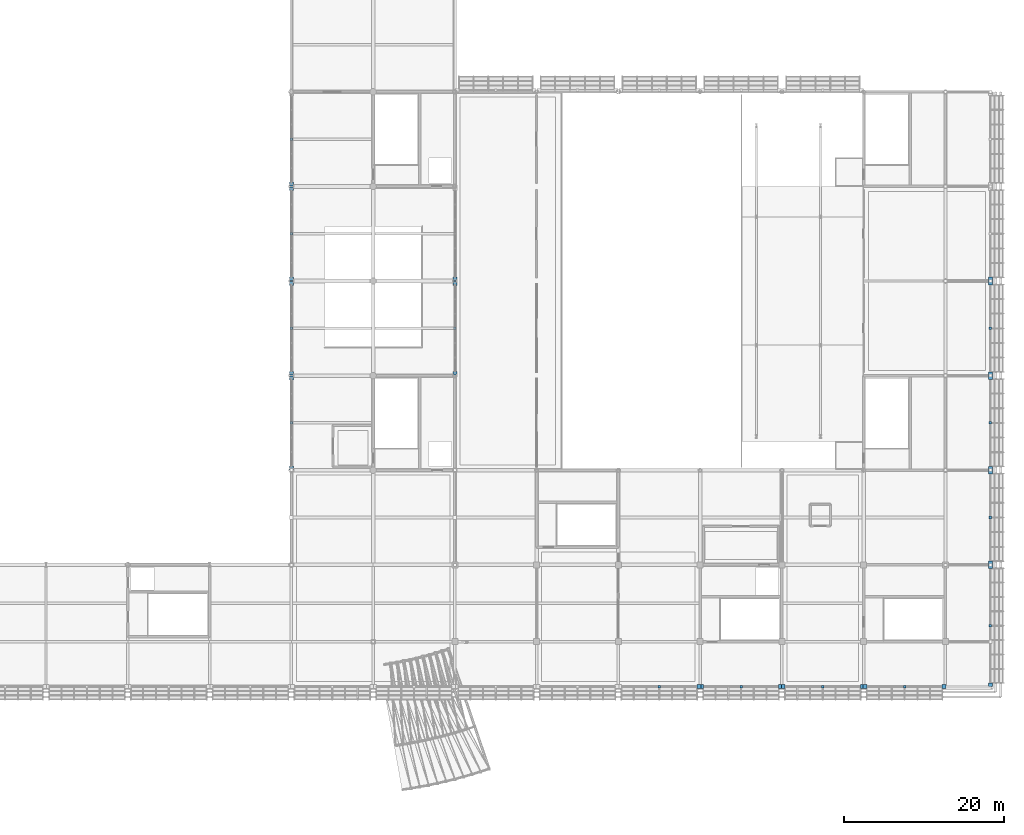
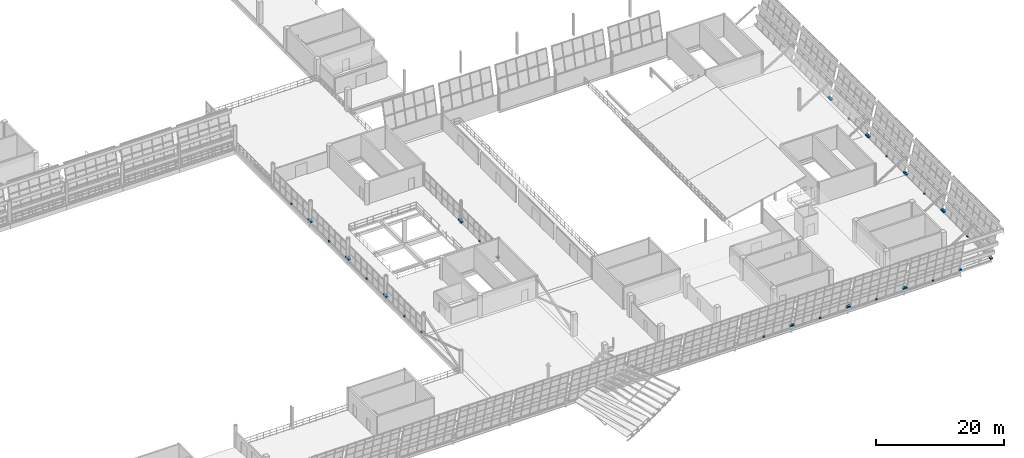
# One storey, part 140 of 157: 39 discrete accessories.
"""IFC4 building model written with IfcOpenShell, lengths in metres."""

from ifc_helpers import new_model, si_unit, direction, frame, origin, origin_2d, place, context, subcontext, project, spatial, rectangle, extrude, material, type_object, element, save


model = new_model("IFC4")

# Units and contexts
model_context = context("Model", 3, precision=1e-05, world=origin(), true_north=direction((0.0, 1.0)))
body_context = subcontext(model_context, "Body", "Model", "MODEL_VIEW")
ifc_project = project(units=[si_unit("LENGTHUNIT", "METRE"), si_unit("AREAUNIT", "SQUARE_METRE"), si_unit("VOLUMEUNIT", "CUBIC_METRE"), si_unit("PLANEANGLEUNIT", "RADIAN"), si_unit("MASSUNIT", "GRAM", prefix="KILO")], contexts=[model_context])

# Site, building, storey
site_placement = place(None, origin())
site = spatial("IfcSite", under=ifc_project, at=site_placement, CompositionType="ELEMENT")
building_placement = place(site_placement, origin())
building = spatial("IfcBuilding", under=site, at=building_placement, Name="Brelvane Convention Centre", CompositionType="ELEMENT")
storey_placement = place(building_placement, frame((0.0, 0.0, 10.800048828125)))
storey = spatial("IfcBuildingStorey", under=building, at=storey_placement, Name="L02", CompositionType="ELEMENT", Elevation=10.800048828125)

# Discrete accessories
ifc_material = material(Name="Steel E350 (350 MPa)", Category="steel")
discrete_accessory_type = type_object("IfcDiscreteAccessoryType", Name="Facade Outrigger Bracket BRK-02", PredefinedType="BRACKET", material=ifc_material)
discrete_accessory_1_placement = place(storey_placement, frame((193.639892578125, 13.60009765625, 0.22998046875), z_axis=(0.0, 0.0, 1.0), x_axis=(1.0, 0.0, 0.0)))
element("IfcDiscreteAccessory", 1, at=discrete_accessory_1_placement, inside=storey, type_object=discrete_accessory_type, Name="Curtain Wall Anchor Bracket L02-HULL-S-L02-19-R", PredefinedType="BRACKET", context=body_context, shape_type="SweptSolid", body=[
    extrude(rectangle(XDim=0.47998046875, YDim=0.47998046875, at=origin_2d()), origin(), (0.0, 0.0, 1.0), 0.239990234375),
])
discrete_accessory_2_placement = place(storey_placement, frame((188.699951171875, 13.60009765625, -0.14013671875), z_axis=(0.0, 0.0, 1.0), x_axis=(1.0, 0.0, 0.0)))
element("IfcDiscreteAccessory", 2, at=discrete_accessory_2_placement, inside=storey, type_object=discrete_accessory_type, Name="Curtain Wall Anchor Bracket L02-HULL-S-L02-19-B", PredefinedType="BRACKET", context=body_context, shape_type="SweptSolid", body=[
    extrude(rectangle(XDim=0.320068359375, YDim=0.320068359375, at=origin_2d()), origin(), (0.0, 0.0, 1.0), 0.280029296875),
])
for number, where, z_axis, x_axis, name in (
    (3, (193.9599609375, 13.60009765625, 0.22998046875), (0.0, 0.0, 1.0), (1.0, 0.0, 0.0), "Curtain Wall Anchor Bracket L02-HULL-S-L02-20-L"),
    (4, (203.840087890625, 13.60009765625, 0.22998046875), (0.0, 0.0, 1.0), (1.0, 0.0, 0.0), "Curtain Wall Anchor Bracket L02-HULL-S-L02-20-R"),
):
    element("IfcDiscreteAccessory", number, at=place(storey_placement, frame(where, z_axis=z_axis, x_axis=x_axis)), inside=storey, type_object=discrete_accessory_type, Name=name, PredefinedType="BRACKET", context=body_context, shape_type="SweptSolid", body=[
        extrude(rectangle(XDim=0.47998046875, YDim=0.47998046875, at=origin_2d()), origin(), (0.0, 0.0, 1.0), 0.239990234375),
    ])
discrete_accessory_3_placement = place(storey_placement, frame((198.89990234375, 13.60009765625, -0.14013671875), z_axis=(0.0, 0.0, 1.0), x_axis=(1.0, 0.0, 0.0)))
element("IfcDiscreteAccessory", 5, at=discrete_accessory_3_placement, inside=storey, type_object=discrete_accessory_type, Name="Curtain Wall Anchor Bracket L02-HULL-S-L02-20-B", PredefinedType="BRACKET", context=body_context, shape_type="SweptSolid", body=[
    extrude(rectangle(XDim=0.320068359375, YDim=0.320068359375, at=origin_2d()), origin(), (0.0, 0.0, 1.0), 0.280029296875),
])
for number, where, z_axis, x_axis, name in (
    (6, (204.159912109375, 13.60009765625, 0.22998046875), (0.0, 0.0, 1.0), (1.0, 0.0, 0.0), "Curtain Wall Anchor Bracket L02-HULL-S-L02-21-L"),
    (7, (214.0400390625, 13.60009765625, 0.22998046875), (0.0, 0.0, 1.0), (1.0, 0.0, 0.0), "Curtain Wall Anchor Bracket L02-HULL-S-L02-21-R"),
):
    element("IfcDiscreteAccessory", number, at=place(storey_placement, frame(where, z_axis=z_axis, x_axis=x_axis)), inside=storey, type_object=discrete_accessory_type, Name=name, PredefinedType="BRACKET", context=body_context, shape_type="SweptSolid", body=[
        extrude(rectangle(XDim=0.47998046875, YDim=0.47998046875, at=origin_2d()), origin(), (0.0, 0.0, 1.0), 0.239990234375),
    ])
discrete_accessory_4_placement = place(storey_placement, frame((209.10009765625, 13.60009765625, -0.14013671875), z_axis=(0.0, 0.0, 1.0), x_axis=(1.0, 0.0, 0.0)))
element("IfcDiscreteAccessory", 8, at=discrete_accessory_4_placement, inside=storey, type_object=discrete_accessory_type, Name="Curtain Wall Anchor Bracket L02-HULL-S-L02-21-B", PredefinedType="BRACKET", context=body_context, shape_type="SweptSolid", body=[
    extrude(rectangle(XDim=0.320068359375, YDim=0.320068359375, at=origin_2d()), origin(), (0.0, 0.0, 1.0), 0.280029296875),
])
for number, where, z_axis, x_axis, name in (
    (9, (214.360107421875, 13.60009765625, 0.22998046875), (0.0, 0.0, 1.0), (1.0, 0.0, 0.0), "Curtain Wall Anchor Bracket L02-HULL-S-L02-22-L"),
    (10, (224.239990234375, 13.60009765625, 0.22998046875), (0.0, 0.0, 1.0), (1.0, 0.0, 0.0), "Curtain Wall Anchor Bracket L02-HULL-S-L02-22-R"),
):
    element("IfcDiscreteAccessory", number, at=place(storey_placement, frame(where, z_axis=z_axis, x_axis=x_axis)), inside=storey, type_object=discrete_accessory_type, Name=name, PredefinedType="BRACKET", context=body_context, shape_type="SweptSolid", body=[
        extrude(rectangle(XDim=0.47998046875, YDim=0.47998046875, at=origin_2d()), origin(), (0.0, 0.0, 1.0), 0.239990234375),
    ])
discrete_accessory_5_placement = place(storey_placement, frame((219.300048828125, 13.60009765625, -0.14013671875), z_axis=(0.0, 0.0, 1.0), x_axis=(1.0, 0.0, 0.0)))
element("IfcDiscreteAccessory", 11, at=discrete_accessory_5_placement, inside=storey, type_object=discrete_accessory_type, Name="Curtain Wall Anchor Bracket L02-HULL-S-L02-22-B", PredefinedType="BRACKET", context=body_context, shape_type="SweptSolid", body=[
    extrude(rectangle(XDim=0.320068359375, YDim=0.320068359375, at=origin_2d()), origin(), (0.0, 0.0, 1.0), 0.280029296875),
])
for number, where, z_axis, x_axis, name in (
    (12, (230.0, 13.840087890625, 0.22998046875), (0.0, 0.0, 1.0), (1.0, 0.0, 0.0), "Curtain Wall Anchor Bracket L02-HULL-E-L02-1-L"),
    (13, (230.0, 28.56005859375, 0.22998046875), (0.0, 0.0, 1.0), (1.0, 0.0, 0.0), "Curtain Wall Anchor Bracket L02-HULL-E-L02-1-R"),
):
    element("IfcDiscreteAccessory", number, at=place(storey_placement, frame(where, z_axis=z_axis, x_axis=x_axis)), inside=storey, type_object=discrete_accessory_type, Name=name, PredefinedType="BRACKET", context=body_context, shape_type="SweptSolid", body=[
        extrude(rectangle(XDim=0.47998046875, YDim=0.47998046875, at=origin_2d()), origin(), (0.0, 0.0, 1.0), 0.239990234375),
    ])
discrete_accessory_6_placement = place(storey_placement, frame((230.0, 21.199951171875, -0.14013671875), z_axis=(0.0, 0.0, 1.0), x_axis=(1.0, 0.0, 0.0)))
element("IfcDiscreteAccessory", 14, at=discrete_accessory_6_placement, inside=storey, type_object=discrete_accessory_type, Name="Curtain Wall Anchor Bracket L02-HULL-E-L02-1-B", PredefinedType="BRACKET", context=body_context, shape_type="SweptSolid", body=[
    extrude(rectangle(XDim=0.320068359375, YDim=0.320068359375, at=origin_2d()), origin(), (0.0, 0.0, 1.0), 0.280029296875),
])
for number, where, z_axis, x_axis, name in (
    (15, (230.0, 29.0400390625, 0.22998046875), (0.0, 0.0, 1.0), (1.0, 0.0, 0.0), "Curtain Wall Anchor Bracket L02-HULL-E-L02-2-L"),
    (16, (230.0, 40.360107421875, 0.22998046875), (0.0, 0.0, 1.0), (1.0, 0.0, 0.0), "Curtain Wall Anchor Bracket L02-HULL-E-L02-2-R"),
):
    element("IfcDiscreteAccessory", number, at=place(storey_placement, frame(where, z_axis=z_axis, x_axis=x_axis)), inside=storey, type_object=discrete_accessory_type, Name=name, PredefinedType="BRACKET", context=body_context, shape_type="SweptSolid", body=[
        extrude(rectangle(XDim=0.47998046875, YDim=0.47998046875, at=origin_2d()), origin(), (0.0, 0.0, 1.0), 0.239990234375),
    ])
discrete_accessory_7_placement = place(storey_placement, frame((230.0, 34.699951171875, -0.14013671875), z_axis=(0.0, 0.0, 1.0), x_axis=(1.0, 0.0, 0.0)))
element("IfcDiscreteAccessory", 17, at=discrete_accessory_7_placement, inside=storey, type_object=discrete_accessory_type, Name="Curtain Wall Anchor Bracket L02-HULL-E-L02-2-B", PredefinedType="BRACKET", context=body_context, shape_type="SweptSolid", body=[
    extrude(rectangle(XDim=0.320068359375, YDim=0.320068359375, at=origin_2d()), origin(), (0.0, 0.0, 1.0), 0.280029296875),
])
for number, where, z_axis, x_axis, name in (
    (18, (230.0, 40.840087890625, 0.22998046875), (0.0, 0.0, 1.0), (1.0, 0.0, 0.0), "Curtain Wall Anchor Bracket L02-HULL-E-L02-3-L"),
    (19, (230.0, 52.159912109375, 0.22998046875), (0.0, 0.0, 1.0), (1.0, 0.0, 0.0), "Curtain Wall Anchor Bracket L02-HULL-E-L02-3-R"),
):
    element("IfcDiscreteAccessory", number, at=place(storey_placement, frame(where, z_axis=z_axis, x_axis=x_axis)), inside=storey, type_object=discrete_accessory_type, Name=name, PredefinedType="BRACKET", context=body_context, shape_type="SweptSolid", body=[
        extrude(rectangle(XDim=0.47998046875, YDim=0.47998046875, at=origin_2d()), origin(), (0.0, 0.0, 1.0), 0.239990234375),
    ])
discrete_accessory_8_placement = place(storey_placement, frame((230.0, 46.5, -0.14013671875), z_axis=(0.0, 0.0, 1.0), x_axis=(1.0, 0.0, 0.0)))
element("IfcDiscreteAccessory", 20, at=discrete_accessory_8_placement, inside=storey, type_object=discrete_accessory_type, Name="Curtain Wall Anchor Bracket L02-HULL-E-L02-3-B", PredefinedType="BRACKET", context=body_context, shape_type="SweptSolid", body=[
    extrude(rectangle(XDim=0.320068359375, YDim=0.320068359375, at=origin_2d()), origin(), (0.0, 0.0, 1.0), 0.280029296875),
])
for number, where, z_axis, x_axis, name in (
    (21, (230.0, 52.639892578125, 0.22998046875), (0.0, 0.0, 1.0), (1.0, 0.0, 0.0), "Curtain Wall Anchor Bracket L02-HULL-E-L02-4-L"),
    (22, (230.0, 63.9599609375, 0.22998046875), (0.0, 0.0, 1.0), (1.0, 0.0, 0.0), "Curtain Wall Anchor Bracket L02-HULL-E-L02-4-R"),
):
    element("IfcDiscreteAccessory", number, at=place(storey_placement, frame(where, z_axis=z_axis, x_axis=x_axis)), inside=storey, type_object=discrete_accessory_type, Name=name, PredefinedType="BRACKET", context=body_context, shape_type="SweptSolid", body=[
        extrude(rectangle(XDim=0.47998046875, YDim=0.47998046875, at=origin_2d()), origin(), (0.0, 0.0, 1.0), 0.239990234375),
    ])
discrete_accessory_9_placement = place(storey_placement, frame((230.0, 58.300048828125, -0.14013671875), z_axis=(0.0, 0.0, 1.0), x_axis=(1.0, 0.0, 0.0)))
element("IfcDiscreteAccessory", 23, at=discrete_accessory_9_placement, inside=storey, type_object=discrete_accessory_type, Name="Curtain Wall Anchor Bracket L02-HULL-E-L02-4-B", PredefinedType="BRACKET", context=body_context, shape_type="SweptSolid", body=[
    extrude(rectangle(XDim=0.320068359375, YDim=0.320068359375, at=origin_2d()), origin(), (0.0, 0.0, 1.0), 0.280029296875),
])
for number, where, z_axis, x_axis, name in (
    (24, (230.0, 64.43994140625, 0.22998046875), (0.0, 0.0, 1.0), (1.0, 0.0, 0.0), "Curtain Wall Anchor Bracket L02-HULL-E-L02-5-L"),
    (25, (142.800048828125, 40.889892578125, 0.22998046875), (0.0, 0.0, 1.0), (1.0, 0.0, 0.0), "Curtain Wall Anchor Bracket L02-GAL-ATRIUM-W-1-L"),
    (26, (142.800048828125, 52.110107421875, 0.22998046875), (0.0, 0.0, 1.0), (1.0, 0.0, 0.0), "Curtain Wall Anchor Bracket L02-GAL-ATRIUM-W-1-R"),
):
    element("IfcDiscreteAccessory", number, at=place(storey_placement, frame(where, z_axis=z_axis, x_axis=x_axis)), inside=storey, type_object=discrete_accessory_type, Name=name, PredefinedType="BRACKET", context=body_context, shape_type="SweptSolid", body=[
        extrude(rectangle(XDim=0.47998046875, YDim=0.47998046875, at=origin_2d()), origin(), (0.0, 0.0, 1.0), 0.239990234375),
    ])
discrete_accessory_10_placement = place(storey_placement, frame((142.800048828125, 46.5, -0.14013671875), z_axis=(0.0, 0.0, 1.0), x_axis=(1.0, 0.0, 0.0)))
element("IfcDiscreteAccessory", 27, at=discrete_accessory_10_placement, inside=storey, type_object=discrete_accessory_type, Name="Curtain Wall Anchor Bracket L02-GAL-ATRIUM-W-1-B", PredefinedType="BRACKET", context=body_context, shape_type="SweptSolid", body=[
    extrude(rectangle(XDim=0.320068359375, YDim=0.320068359375, at=origin_2d()), origin(), (0.0, 0.0, 1.0), 0.280029296875),
])
for number, where, z_axis, x_axis, name in (
    (28, (142.800048828125, 52.68994140625, 0.22998046875), (0.0, 0.0, 1.0), (1.0, 0.0, 0.0), "Curtain Wall Anchor Bracket L02-GAL-ATRIUM-W-2-L"),
    (29, (142.800048828125, 63.909912109375, 0.22998046875), (0.0, 0.0, 1.0), (1.0, 0.0, 0.0), "Curtain Wall Anchor Bracket L02-GAL-ATRIUM-W-2-R"),
):
    element("IfcDiscreteAccessory", number, at=place(storey_placement, frame(where, z_axis=z_axis, x_axis=x_axis)), inside=storey, type_object=discrete_accessory_type, Name=name, PredefinedType="BRACKET", context=body_context, shape_type="SweptSolid", body=[
        extrude(rectangle(XDim=0.47998046875, YDim=0.47998046875, at=origin_2d()), origin(), (0.0, 0.0, 1.0), 0.239990234375),
    ])
discrete_accessory_11_placement = place(storey_placement, frame((142.800048828125, 58.300048828125, -0.14013671875), z_axis=(0.0, 0.0, 1.0), x_axis=(1.0, 0.0, 0.0)))
element("IfcDiscreteAccessory", 30, at=discrete_accessory_11_placement, inside=storey, type_object=discrete_accessory_type, Name="Curtain Wall Anchor Bracket L02-GAL-ATRIUM-W-2-B", PredefinedType="BRACKET", context=body_context, shape_type="SweptSolid", body=[
    extrude(rectangle(XDim=0.320068359375, YDim=0.320068359375, at=origin_2d()), origin(), (0.0, 0.0, 1.0), 0.280029296875),
])
for number, where, z_axis, x_axis, name in (
    (31, (163.199951171875, 52.68994140625, 0.22998046875), (0.0, 0.0, 1.0), (1.0, 0.0, 0.0), "Curtain Wall Anchor Bracket L02-GAL-ATRIUM-E-2-L"),
    (32, (163.199951171875, 63.909912109375, 0.22998046875), (0.0, 0.0, 1.0), (1.0, 0.0, 0.0), "Curtain Wall Anchor Bracket L02-GAL-ATRIUM-E-2-R"),
):
    element("IfcDiscreteAccessory", number, at=place(storey_placement, frame(where, z_axis=z_axis, x_axis=x_axis)), inside=storey, type_object=discrete_accessory_type, Name=name, PredefinedType="BRACKET", context=body_context, shape_type="SweptSolid", body=[
        extrude(rectangle(XDim=0.47998046875, YDim=0.47998046875, at=origin_2d()), origin(), (0.0, 0.0, 1.0), 0.239990234375),
    ])
discrete_accessory_12_placement = place(storey_placement, frame((163.199951171875, 58.300048828125, -0.14013671875), z_axis=(0.0, 0.0, 1.0), x_axis=(1.0, 0.0, 0.0)))
element("IfcDiscreteAccessory", 33, at=discrete_accessory_12_placement, inside=storey, type_object=discrete_accessory_type, Name="Curtain Wall Anchor Bracket L02-GAL-ATRIUM-E-2-B", PredefinedType="BRACKET", context=body_context, shape_type="SweptSolid", body=[
    extrude(rectangle(XDim=0.320068359375, YDim=0.320068359375, at=origin_2d()), origin(), (0.0, 0.0, 1.0), 0.280029296875),
])
for number, where, z_axis, x_axis, name in (
    (34, (142.800048828125, 64.489990234375, 0.22998046875), (0.0, 0.0, 1.0), (1.0, 0.0, 0.0), "Curtain Wall Anchor Bracket L02-GAL-ATRIUM-W-3-L"),
    (35, (142.800048828125, 75.7099609375, 0.22998046875), (0.0, 0.0, 1.0), (1.0, 0.0, 0.0), "Curtain Wall Anchor Bracket L02-GAL-ATRIUM-W-3-R"),
):
    element("IfcDiscreteAccessory", number, at=place(storey_placement, frame(where, z_axis=z_axis, x_axis=x_axis)), inside=storey, type_object=discrete_accessory_type, Name=name, PredefinedType="BRACKET", context=body_context, shape_type="SweptSolid", body=[
        extrude(rectangle(XDim=0.47998046875, YDim=0.47998046875, at=origin_2d()), origin(), (0.0, 0.0, 1.0), 0.239990234375),
    ])
discrete_accessory_13_placement = place(storey_placement, frame((142.800048828125, 70.10009765625, -0.14013671875), z_axis=(0.0, 0.0, 1.0), x_axis=(1.0, 0.0, 0.0)))
element("IfcDiscreteAccessory", 36, at=discrete_accessory_13_placement, inside=storey, type_object=discrete_accessory_type, Name="Curtain Wall Anchor Bracket L02-GAL-ATRIUM-W-3-B", PredefinedType="BRACKET", context=body_context, shape_type="SweptSolid", body=[
    extrude(rectangle(XDim=0.320068359375, YDim=0.320068359375, at=origin_2d()), origin(), (0.0, 0.0, 1.0), 0.280029296875),
])
for number, where, z_axis, x_axis, name in (
    (37, (163.199951171875, 64.489990234375, 0.22998046875), (0.0, 0.0, 1.0), (1.0, 0.0, 0.0), "Curtain Wall Anchor Bracket L02-GAL-ATRIUM-E-3-L"),
    (38, (142.800048828125, 76.2900390625, 0.22998046875), (0.0, 0.0, 1.0), (1.0, 0.0, 0.0), "Curtain Wall Anchor Bracket L02-GAL-ATRIUM-W-4-L"),
):
    element("IfcDiscreteAccessory", number, at=place(storey_placement, frame(where, z_axis=z_axis, x_axis=x_axis)), inside=storey, type_object=discrete_accessory_type, Name=name, PredefinedType="BRACKET", context=body_context, shape_type="SweptSolid", body=[
        extrude(rectangle(XDim=0.47998046875, YDim=0.47998046875, at=origin_2d()), origin(), (0.0, 0.0, 1.0), 0.239990234375),
    ])
discrete_accessory_14_placement = place(storey_placement, frame((142.800048828125, 81.89990234375, -0.14013671875), z_axis=(0.0, 0.0, 1.0), x_axis=(1.0, 0.0, 0.0)))
element("IfcDiscreteAccessory", 39, at=discrete_accessory_14_placement, inside=storey, type_object=discrete_accessory_type, Name="Curtain Wall Anchor Bracket L02-GAL-ATRIUM-W-4-B", PredefinedType="BRACKET", context=body_context, shape_type="SweptSolid", body=[
    extrude(rectangle(XDim=0.320068359375, YDim=0.320068359375, at=origin_2d()), origin(), (0.0, 0.0, 1.0), 0.280029296875),
])

save(model, "model.ifc")
